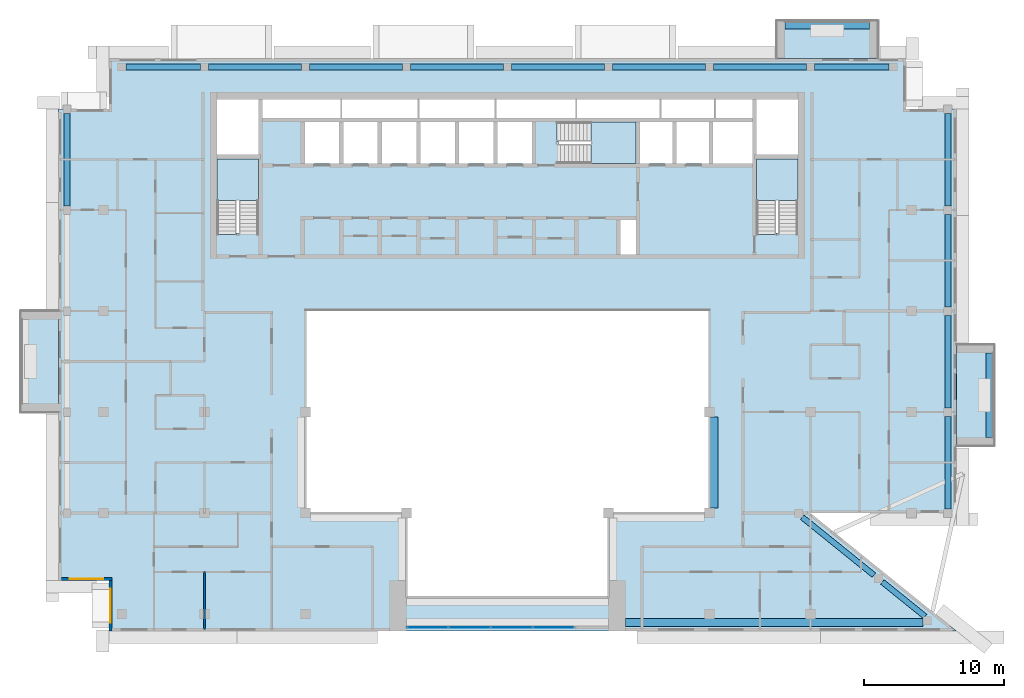
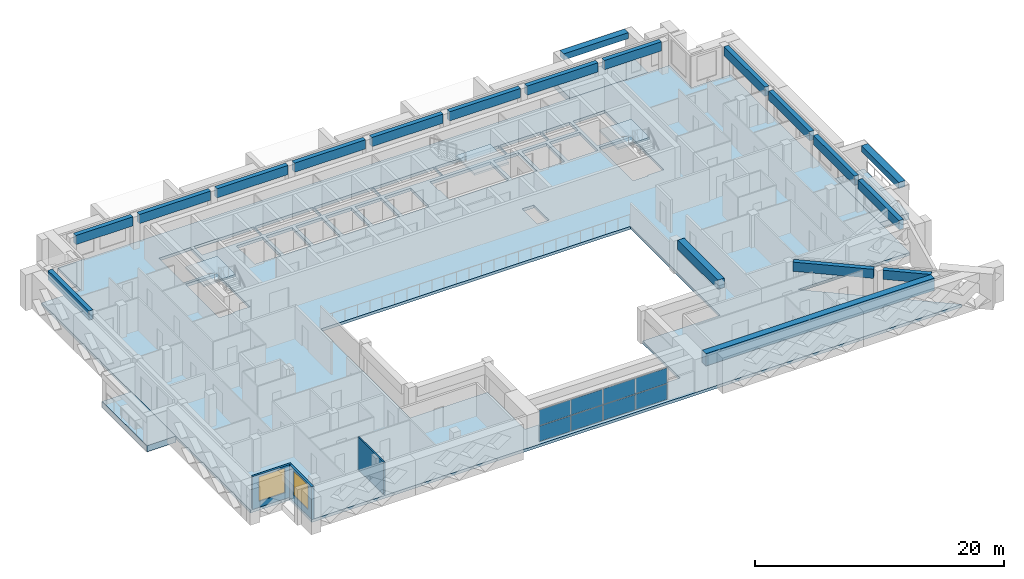
# One storey, part 5 of 18: 19 beams, 8 plates, 7 slabs, 3 walls, 2 windows, 2 openings, 4 elements without a shape of their own.
"""IFC4 building model written with IfcOpenShell, lengths in metres."""

from ifc_helpers import new_model, si_unit, direction, frame, frame_2d, origin, origin_2d, place, context, subcontext, project, spatial, polyline, rectangle, outline, extrude, source, transform, mapped, material, layer, layer_set, material_profile, profile_set, type_object, element, fill, aggregate, save


model = new_model("IFC4")

# Units and contexts
model_context = context("Model", 3, precision=1e-05, world=origin(), true_north=direction((0.0, 1.0)))
body_context = subcontext(model_context, "Body", "Model", "MODEL_VIEW")
ifc_project = project(units=[si_unit("LENGTHUNIT", "METRE"), si_unit("AREAUNIT", "SQUARE_METRE"), si_unit("VOLUMEUNIT", "CUBIC_METRE"), si_unit("PLANEANGLEUNIT", "RADIAN"), si_unit("MASSUNIT", "GRAM", prefix="KILO")], contexts=[model_context])

# Site, building, storey
site_placement = place(None, origin())
site = spatial("IfcSite", under=ifc_project, at=site_placement, CompositionType="ELEMENT")
building_placement = place(site_placement, origin())
building = spatial("IfcBuilding", under=site, at=building_placement, Name="Saffron Iwan Residences", CompositionType="ELEMENT")
storey_placement = place(building_placement, frame((0.0, 0.0, 257.0)))
storey = spatial("IfcBuildingStorey", under=building, at=storey_placement, Name="L69", CompositionType="ELEMENT", Elevation=257.0)

# Beams
ifc_material_1 = material(Name="Concrete C40/50", Category="concrete")
ifc_material_profile_1 = material_profile(ifc_material_1, rectangle(XDim=0.39990234375, YDim=0.89990234375, at=origin_2d()), Name="RC 400x900")
ifc_profile_set_1 = profile_set([ifc_material_profile_1], Name="Concrete C40/50")
beam_type_1 = type_object("IfcBeamType", Name="SPANDREL BEAM RC 400x900 C40/50 TOP 3220", PredefinedType="SPANDREL", material=ifc_profile_set_1)
shared_shape_1 = source(origin(), body_context, "Body", "SweptSolid", [
    extrude(rectangle(XDim=0.39990234375, YDim=0.89990234375, at=origin_2d()), origin(), (0.0, 0.0, 1.0), 3.91162109375),
])
beam_1_placement = place(storey_placement, frame((77.123046875, 43.0908203125, 2.77001953125), z_axis=(0.777943527056, -0.62833420145, 0.0), x_axis=(0.62833420145, 0.777943527056, 0.0)))
element("IfcBeam", 1, at=beam_1_placement, inside=storey, type_object=beam_type_1, Name="Spandrel beam", PredefinedType="SPANDREL", context=body_context, shape_type="MappedRepresentation", body=[
    mapped(shared_shape_1, transform((0.0, 0.0, 0.0))),
])
shared_shape_2 = source(origin(), body_context, "Body", "SweptSolid", [
    extrude(rectangle(XDim=0.39990234375, YDim=0.89990234375, at=origin_2d()), origin(), (0.0, 0.0, 1.0), 6.564208984375),
])
beam_2_placement = place(storey_placement, frame((71.41650390625, 47.699951171875, 2.77001953125), z_axis=(0.77793558619, -0.628344032946, 0.0), x_axis=(0.628344032946, 0.77793558619, 0.0)))
element("IfcBeam", 2, at=beam_2_placement, inside=storey, type_object=beam_type_1, Name="Spandrel beam", PredefinedType="SPANDREL", context=body_context, shape_type="MappedRepresentation", body=[
    mapped(shared_shape_2, transform((0.0, 0.0, 0.0))),
])
shared_shape_3 = source(origin(), body_context, "Body", "SweptSolid", [
    extrude(rectangle(XDim=0.39990234375, YDim=0.89990234375, at=origin_2d()), origin(), (0.0, 0.0, 1.0), 6.599853515625),
])
for number, where, z_axis, x_axis, name in (
    (3, (81.800048828125, 54.89990234375, 2.77001953125), (0.0, -1.0, 0.0), (1.0, 0.0, 0.0), "Spandrel beam"),
    (4, (29.10009765625, 79.800048828125, 2.77001953125), (1.0, 0.0, 0.0), (0.0, 1.0, 0.0), "Spandrel beam"),
    (5, (36.300048828125, 79.800048828125, 2.77001953125), (1.0, 0.0, 0.0), (0.0, 1.0, 0.0), "Spandrel beam"),
    (6, (65.10009765625, 79.800048828125, 2.77001953125), (1.0, 0.0, 0.0), (0.0, 1.0, 0.0), "Spandrel beam"),
):
    element("IfcBeam", number, at=place(storey_placement, frame(where, z_axis=z_axis, x_axis=x_axis)), inside=storey, type_object=beam_type_1, Name=name, PredefinedType="SPANDREL", context=body_context, shape_type="MappedRepresentation", body=[
        mapped(shared_shape_3, transform((0.0, 0.0, 0.0))),
    ])
shared_shape_4 = source(origin(), body_context, "Body", "SweptSolid", [
    extrude(rectangle(XDim=0.39990234375, YDim=0.89990234375, at=origin_2d()), origin(), (0.0, 0.0, 1.0), 6.60009765625),
])
for number, where, z_axis, x_axis, name in (
    (7, (81.800048828125, 62.10009765625, 2.77001953125), (0.0, -1.0, 0.0), (1.0, 0.0, 0.0), "Spandrel beam"),
    (8, (81.800048828125, 69.300048828125, 2.77001953125), (0.0, -1.0, 0.0), (1.0, 0.0, 0.0), "Spandrel beam"),
    (9, (19.0, 69.89990234375, 2.77001953125), (0.0, 1.0, 0.0), (-1.0, 0.0, 0.0), "Spandrel beam"),
    (10, (81.800048828125, 76.5, 2.77001953125), (0.0, -1.0, 0.0), (1.0, 0.0, 0.0), "Spandrel beam"),
    (11, (43.5, 79.800048828125, 2.77001953125), (1.0, 0.0, 0.0), (0.0, 1.0, 0.0), "Spandrel beam"),
    (12, (50.699951171875, 79.800048828125, 2.77001953125), (1.0, 0.0, 0.0), (0.0, 1.0, 0.0), "Spandrel beam"),
    (13, (57.89990234375, 79.800048828125, 2.77001953125), (1.0, 0.0, 0.0), (0.0, 1.0, 0.0), "Spandrel beam"),
):
    element("IfcBeam", number, at=place(storey_placement, frame(where, z_axis=z_axis, x_axis=x_axis)), inside=storey, type_object=beam_type_1, Name=name, PredefinedType="SPANDREL", context=body_context, shape_type="MappedRepresentation", body=[
        mapped(shared_shape_4, transform((0.0, 0.0, 0.0))),
    ])
shared_shape_5 = source(origin(), body_context, "Body", "SweptSolid", [
    extrude(rectangle(XDim=0.39990234375, YDim=0.89990234375, at=origin_2d()), origin(), (0.0, 0.0, 1.0), 5.300048828125),
])
for number, where, z_axis, x_axis, name in (
    (14, (23.199951171875, 79.800048828125, 2.77001953125), (1.0, 0.0, 0.0), (0.0, 1.0, 0.0), "Spandrel beam"),
    (15, (72.300048828125, 79.800048828125, 2.77001953125), (1.0, 0.0, 0.0), (0.0, 1.0, 0.0), "Spandrel beam"),
):
    element("IfcBeam", number, at=place(storey_placement, frame(where, z_axis=z_axis, x_axis=x_axis)), inside=storey, type_object=beam_type_1, Name=name, PredefinedType="SPANDREL", context=body_context, shape_type="MappedRepresentation", body=[
        mapped(shared_shape_5, transform((0.0, 0.0, 0.0))),
    ])
ifc_material_profile_2 = material_profile(ifc_material_1, rectangle(XDim=0.60009765625, YDim=1.199951171875, at=origin_2d()), Name="RC 600x1200")
ifc_profile_set_2 = profile_set([ifc_material_profile_2], Name="Concrete C40/50")
beam_type_2 = type_object("IfcBeamType", Name="LINTEL BEAM RC 600x1200 C40/50 TOP 3220", PredefinedType="LINTEL", material=ifc_profile_set_2)
shared_shape_6 = source(origin(), body_context, "Body", "SweptSolid", [
    extrude(rectangle(XDim=0.60009765625, YDim=1.199951171875, at=origin_2d()), origin(), (0.0, 0.0, 1.0), 21.2255859375),
])
beam_3_placement = place(storey_placement, frame((80.025634765625, 40.199951171875, 2.6201171875), z_axis=(-1.0, 0.0, 0.0), x_axis=(0.0, -1.0, 0.0)))
element("IfcBeam", 16, at=beam_3_placement, inside=storey, type_object=beam_type_2, Name="Lintel beam over the iwan", PredefinedType="LINTEL", context=body_context, shape_type="MappedRepresentation", body=[
    mapped(shared_shape_6, transform((0.0, 0.0, 0.0))),
])
ifc_material_profile_3 = material_profile(ifc_material_1, rectangle(XDim=0.60009765625, YDim=0.89990234375, at=origin_2d()), Name="RC 600x900")
ifc_profile_set_3 = profile_set([ifc_material_profile_3], Name="Concrete C40/50")
beam_type_3 = type_object("IfcBeamType", Name="BEAM RC 600x900 C40/50 TOP 3220", PredefinedType="BEAM", material=ifc_profile_set_3)
shared_shape_7 = source(origin(), body_context, "Body", "SweptSolid", [
    extrude(rectangle(XDim=0.60009765625, YDim=0.89990234375, at=origin_2d()), origin(), (0.0, 0.0, 1.0), 6.5),
])
beam_4_placement = place(storey_placement, frame((65.10009765625, 54.85009765625, 2.77001953125), z_axis=(0.0, -1.0, 0.0), x_axis=(1.0, 0.0, 0.0)))
element("IfcBeam", 17, at=beam_4_placement, inside=storey, type_object=beam_type_3, Name="Atrium edge beam", PredefinedType="BEAM", context=body_context, shape_type="MappedRepresentation", body=[
    mapped(shared_shape_7, transform((0.0, 0.0, 0.0))),
])
ifc_material_2 = material(Name="Concrete C50/60 white painted", Category="concrete")
ifc_material_profile_4 = material_profile(ifc_material_2, rectangle(XDim=0.60009765625, YDim=0.60009765625, at=origin_2d()), Name="BALCONY FASCIA BEAM 600 x 600")
ifc_profile_set_4 = profile_set([ifc_material_profile_4], Name="Concrete C50/60 white painted")
beam_type_4 = type_object("IfcBeamType", Name="BALCONY FASCIA BEAM 600 x 600", PredefinedType="BEAM", material=ifc_profile_set_4)
shared_shape_8 = source(origin(), body_context, "Body", "SweptSolid", [
    extrude(rectangle(XDim=0.60009765625, YDim=0.60009765625, at=origin_2d()), origin(), (0.0, 0.0, 1.0), 6.0),
])
for number, where, z_axis, x_axis, name in (
    (18, (84.800048828125, 53.39990234375, 2.550048828125), (0.0, 1.0, 0.0), (-1.0, 0.0, 0.0), "Balcony fascia beam L69 F2-0"),
    (19, (76.199951171875, 82.800048828125, 2.550048828125), (-1.0, 0.0, 0.0), (0.0, -1.0, 0.0), "Balcony fascia beam L69 F5-0"),
):
    element("IfcBeam", number, at=place(storey_placement, frame(where, z_axis=z_axis, x_axis=x_axis)), inside=storey, type_object=beam_type_4, Name=name, PredefinedType="BEAM", context=body_context, shape_type="MappedRepresentation", body=[
        mapped(shared_shape_8, transform((0.0, 0.0, 0.0))),
    ])

# Slabs
ifc_layer_1 = layer(ifc_material_2, 0.60009765625)
ifc_layer_set_1 = layer_set([ifc_layer_1], Name="Concrete C50/60 white painted")
slab_type_1 = type_object("IfcSlabType", Name="BALCONY FRAME SLAB 600", PredefinedType="FLOOR", material=ifc_layer_set_1)
slab_1_placement = place(storey_placement, frame((0.0, 0.0, -0.60009765625)))
element("IfcSlab", 20, at=slab_1_placement, inside=storey, type_object=slab_type_1, Name="Balcony frame slab L69 F2-0", PredefinedType="FLOOR", context=body_context, shape_type="SweptSolid", body=[
    extrude(outline(polyline([(85.10009765625, 52.800048828125), (85.10009765625, 60.0), (82.39990234375, 60.0), (82.39990234375, 52.800048828125), (85.10009765625, 52.800048828125)])), origin(), (0.0, 0.0, 1.0), 0.60009765625),
])
slab_2_placement = place(storey_placement, frame((0.0, 0.0, -0.60009765625)))
element("IfcSlab", 21, at=slab_2_placement, inside=storey, type_object=slab_type_1, Name="Balcony frame slab L69 F5-0", PredefinedType="FLOOR", context=body_context, shape_type="SweptSolid", body=[
    extrude(outline(polyline([(76.800048828125, 83.10009765625), (69.60009765625, 83.10009765625), (69.60009765625, 80.39990234375), (76.800048828125, 80.39990234375), (76.800048828125, 83.10009765625)])), origin(), (0.0, 0.0, 1.0), 0.60009765625),
])
slab_3_placement = place(storey_placement, frame((0.0, 0.0, -0.60009765625)))
element("IfcSlab", 22, at=slab_3_placement, inside=storey, type_object=slab_type_1, Name="Balcony frame slab L69 F8-0", PredefinedType="FLOOR", context=body_context, shape_type="SweptSolid", body=[
    extrude(outline(polyline([(15.699951171875, 62.39990234375), (15.699951171875, 55.199951171875), (18.39990234375, 55.199951171875), (18.39990234375, 62.39990234375), (15.699951171875, 62.39990234375)])), origin(), (0.0, 0.0, 1.0), 0.60009765625),
])
ifc_layer_2 = layer(ifc_material_1, 0.280029296875)
ifc_layer_set_2 = layer_set([ifc_layer_2], Name="Concrete C40/50")
slab_type_2 = type_object("IfcSlabType", Name="PT PLATE 280 C40/50", PredefinedType="FLOOR", material=ifc_layer_set_2)
slab_4_placement = place(storey_placement, frame((0.0, 0.0, -0.280029296875)))
element("IfcSlab", 23, at=slab_4_placement, inside=storey, type_object=slab_type_2, Name="Floor slab L69", PredefinedType="FLOOR", context=body_context, shape_type="SweptSolid", body=[
    extrude(outline(polyline([(18.39990234375, 43.199951171875), (18.39990234375, 76.800048828125), (22.0, 76.800048828125), (22.0, 80.39990234375), (78.800048828125, 80.39990234375), (78.800048828125, 76.800048828125), (82.39990234375, 76.800048828125), (82.39990234375, 48.0), (72.0, 48.0), (82.39990234375, 39.60009765625), (22.0, 39.60009765625), (22.0, 43.199951171875), (18.39990234375, 43.199951171875)]), holes=[polyline([(64.800048828125, 48.0), (64.800048828125, 62.39990234375), (36.0, 62.39990234375), (36.0, 48.0), (43.199951171875, 48.0), (43.199951171875, 42.0), (57.60009765625, 42.0), (57.60009765625, 48.0), (64.800048828125, 48.0)]), polyline([(29.699951171875, 73.25), (29.699951171875, 67.949951171875), (29.699951171875, 67.8505859375), (31.10009765625, 67.8505859375), (31.10009765625, 67.949951171875), (32.64990234375, 67.949951171875), (32.64990234375, 73.25), (29.699951171875, 73.25)]), polyline([(38.39990234375, 75.875), (35.949951171875, 75.875), (35.949951171875, 72.925048828125), (38.39990234375, 72.925048828125), (38.39990234375, 75.875)]), polyline([(41.14990234375, 75.875), (38.699951171875, 75.875), (38.699951171875, 72.925048828125), (41.14990234375, 72.925048828125), (41.14990234375, 75.875)]), polyline([(43.89990234375, 72.925048828125), (43.89990234375, 75.875), (41.449951171875, 75.875), (41.449951171875, 72.925048828125), (43.89990234375, 72.925048828125)]), polyline([(46.64990234375, 72.925048828125), (46.64990234375, 75.875), (44.199951171875, 75.875), (44.199951171875, 72.925048828125), (46.64990234375, 72.925048828125)]), polyline([(49.39990234375, 75.875), (46.949951171875, 75.875), (46.949951171875, 72.925048828125), (49.39990234375, 72.925048828125), (49.39990234375, 75.875)]), polyline([(52.14990234375, 72.925048828125), (52.14990234375, 75.875), (49.699951171875, 75.875), (49.699951171875, 72.925048828125), (52.14990234375, 72.925048828125)]), polyline([(32.64990234375, 73.550048828125), (32.64990234375, 77.5), (29.699951171875, 77.5), (29.699951171875, 73.550048828125), (32.64990234375, 73.550048828125)]), polyline([(38.5, 77.5), (32.949951171875, 77.5), (32.949951171875, 76.175048828125), (38.5, 76.175048828125), (38.5, 77.5)]), polyline([(44.0, 76.175048828125), (44.0, 77.5), (38.60009765625, 77.5), (38.60009765625, 76.175048828125), (44.0, 76.175048828125)]), polyline([(49.5, 76.175048828125), (49.5, 77.5), (44.10009765625, 77.5), (44.10009765625, 76.175048828125), (49.5, 76.175048828125)]), polyline([(59.550048828125, 68.875), (58.449951171875, 68.875), (58.449951171875, 66.449951171875), (59.550048828125, 66.449951171875), (59.550048828125, 68.875)]), polyline([(68.14990234375, 73.25), (68.14990234375, 67.949951171875), (68.14990234375, 67.8505859375), (69.550048828125, 67.8505859375), (69.550048828125, 67.949951171875), (71.10009765625, 67.949951171875), (71.10009765625, 73.25), (68.14990234375, 73.25)]), polyline([(54.02490234375, 74.47509765625), (54.02490234375, 72.925048828125), (59.550048828125, 72.925048828125), (59.550048828125, 75.875), (54.02490234375, 75.875), (53.925537109375, 75.875), (53.925537109375, 74.47509765625), (54.02490234375, 74.47509765625)]), polyline([(62.14990234375, 72.925048828125), (62.14990234375, 75.875), (59.85009765625, 75.875), (59.85009765625, 72.925048828125), (62.14990234375, 72.925048828125)]), polyline([(64.75, 72.925048828125), (64.75, 75.875), (62.449951171875, 75.875), (62.449951171875, 72.925048828125), (64.75, 72.925048828125)]), polyline([(67.85009765625, 75.875), (65.050048828125, 75.875), (65.050048828125, 72.925048828125), (67.85009765625, 72.925048828125), (67.85009765625, 75.875)]), polyline([(71.10009765625, 73.550048828125), (71.10009765625, 77.5), (68.14990234375, 77.5), (68.14990234375, 73.550048828125), (71.10009765625, 73.550048828125)]), polyline([(55.25, 76.175048828125), (55.25, 77.5), (49.60009765625, 77.5), (49.60009765625, 76.175048828125), (55.25, 76.175048828125)]), polyline([(61.25, 77.5), (55.35009765625, 77.5), (55.35009765625, 76.175048828125), (61.25, 76.175048828125), (61.25, 77.5)]), polyline([(65.14990234375, 76.175048828125), (65.14990234375, 77.5), (61.35009765625, 77.5), (61.35009765625, 76.175048828125), (65.14990234375, 76.175048828125)]), polyline([(67.85009765625, 76.175048828125), (67.85009765625, 77.5), (65.25, 77.5), (65.25, 76.175048828125), (67.85009765625, 76.175048828125)])]), origin(), (0.0, 0.0, 1.0), 0.280029296875),
])

# Stair, slab
ifc_material_3 = material(Name="Concrete C50/60", Category="concrete")
stair_type = type_object("IfcStairType", Name="Stair ST-CORE", PredefinedType="HALF_TURN_STAIR", material=ifc_material_3)
stair_1_placement = place(storey_placement, origin())
stair_1 = element("IfcStair", 24, at=stair_1_placement, inside=storey, type_object=stair_type, Name="L69 Exit Stair ST-W", PredefinedType="HALF_TURN_STAIR")
ifc_layer_3 = layer(ifc_material_3, 0.199951171875)
ifc_layer_set_3 = layer_set([ifc_layer_3], Name="Concrete C50/60")
slab_type_3 = type_object("IfcSlabType", Name="Stair landing SL-RC", PredefinedType="LANDING", material=ifc_layer_set_3)
slab_5_placement = place(storey_placement, frame((0.0, 0.0, 1.5498046875)))
slab_5 = element("IfcSlab", 25, at=slab_5_placement, type_object=slab_type_3, Name="ST-W landing 1", PredefinedType="LANDING", context=body_context, shape_type="SweptSolid", body=[
    extrude(outline(polyline([(32.64990234375, 70.280029296875), (32.64990234375, 73.25), (29.699951171875, 73.25), (29.699951171875, 70.280029296875), (32.64990234375, 70.280029296875)])), origin(), (0.0, 0.0, 1.0), 0.2001953125),
])
aggregate(stair_1, [slab_5])

stair_2_placement = place(storey_placement, origin())
stair_2 = element("IfcStair", 26, at=stair_2_placement, inside=storey, type_object=stair_type, Name="L69 Exit Stair ST-C", PredefinedType="HALF_TURN_STAIR")
slab_6_placement = place(storey_placement, frame((0.0, 0.0, 1.5498046875)))
slab_6 = element("IfcSlab", 27, at=slab_6_placement, type_object=slab_type_3, Name="ST-C landing 1", PredefinedType="LANDING", context=body_context, shape_type="SweptSolid", body=[
    extrude(outline(polyline([(56.35498046875, 72.925048828125), (59.550048828125, 72.925048828125), (59.550048828125, 75.875), (56.35498046875, 75.875), (56.35498046875, 72.925048828125)])), origin(), (0.0, 0.0, 1.0), 0.2001953125),
])
aggregate(stair_2, [slab_6])

stair_3_placement = place(storey_placement, origin())
stair_3 = element("IfcStair", 28, at=stair_3_placement, inside=storey, type_object=stair_type, Name="L69 Exit Stair ST-E", PredefinedType="HALF_TURN_STAIR")
slab_7_placement = place(storey_placement, frame((0.0, 0.0, 1.5498046875)))
slab_7 = element("IfcSlab", 29, at=slab_7_placement, type_object=slab_type_3, Name="ST-E landing 1", PredefinedType="LANDING", context=body_context, shape_type="SweptSolid", body=[
    extrude(outline(polyline([(71.10009765625, 70.280029296875), (71.10009765625, 73.25), (68.14990234375, 73.25), (68.14990234375, 70.280029296875), (71.10009765625, 70.280029296875)])), origin(), (0.0, 0.0, 1.0), 0.2001953125),
])
aggregate(stair_3, [slab_7])

# Curtain wall, plates
ifc_material_4 = material(Name="Clear glass, laminated double glazed", Category="glass")
ifc_layer_4 = layer(ifc_material_4, 0.199951171875)
ifc_layer_set_4 = layer_set([ifc_layer_4], Name="Clear glass, laminated double glazed")
curtain_wall_type = type_object("IfcCurtainWallType", Name="CW-B IWAN PORTAL", PredefinedType="NOTDEFINED", material=ifc_layer_set_4)
curtain_wall_placement = place(storey_placement, origin())
curtain_wall = element("IfcCurtainWall", 30, at=curtain_wall_placement, inside=storey, type_object=curtain_wall_type, Name="Iwan portal glazing L69.1", PredefinedType="NOTDEFINED")
ifc_layer_5 = layer(ifc_material_4, 0.028076171875)
ifc_layer_set_5 = layer_set([ifc_layer_5], Name="Clear glass, laminated double glazed")
plate_type = type_object("IfcPlateType", Name="CW-B PANEL 28", PredefinedType="CURTAIN_PANEL", material=ifc_layer_set_5)
shared_shape_9 = source(origin(), body_context, "Body", "SweptSolid", [
    extrude(rectangle(XDim=2.909912109375, YDim=0.028076171875, at=origin_2d()), origin(), (0.0, 0.0, 1.0), 1.52001953125),
])
plate_1_placement = place(storey_placement, frame((44.715087890625, 39.85009765625, 0.06005859375), z_axis=(0.0, 0.0, 1.0), x_axis=(1.0, 0.0, 0.0)))
plate_1 = element("IfcPlate", 31, at=plate_1_placement, type_object=plate_type, Name="CW-B panel 1.1", PredefinedType="CURTAIN_PANEL", context=body_context, shape_type="MappedRepresentation", body=[
    mapped(shared_shape_9, transform((0.0, 0.0, 0.0))),
])
plate_2_placement = place(storey_placement, frame((44.715087890625, 39.85009765625, 1.639892578125), z_axis=(0.0, 0.0, 1.0), x_axis=(1.0, 0.0, 0.0)))
plate_2 = element("IfcPlate", 32, at=plate_2_placement, type_object=plate_type, Name="CW-B panel 1.2", PredefinedType="CURTAIN_PANEL", context=body_context, shape_type="MappedRepresentation", body=[
    mapped(shared_shape_9, transform((0.0, 0.0, 0.0))),
])
plate_3_placement = place(storey_placement, frame((53.68505859375, 39.85009765625, 0.06005859375), z_axis=(0.0, 0.0, 1.0), x_axis=(1.0, 0.0, 0.0)))
plate_3 = element("IfcPlate", 33, at=plate_3_placement, type_object=plate_type, Name="CW-B panel 4.1", PredefinedType="CURTAIN_PANEL", context=body_context, shape_type="MappedRepresentation", body=[
    mapped(shared_shape_9, transform((0.0, 0.0, 0.0))),
])
plate_4_placement = place(storey_placement, frame((53.68505859375, 39.85009765625, 1.639892578125), z_axis=(0.0, 0.0, 1.0), x_axis=(1.0, 0.0, 0.0)))
plate_4 = element("IfcPlate", 34, at=plate_4_placement, type_object=plate_type, Name="CW-B panel 4.2", PredefinedType="CURTAIN_PANEL", context=body_context, shape_type="MappedRepresentation", body=[
    mapped(shared_shape_9, transform((0.0, 0.0, 0.0))),
])
shared_shape_10 = source(origin(), body_context, "Body", "SweptSolid", [
    extrude(rectangle(XDim=2.93994140625, YDim=0.028076171875, at=origin_2d()), origin(), (0.0, 0.0, 1.0), 1.52001953125),
])
plate_5_placement = place(storey_placement, frame((47.699951171875, 39.85009765625, 0.06005859375), z_axis=(0.0, 0.0, 1.0), x_axis=(1.0, 0.0, 0.0)))
plate_5 = element("IfcPlate", 35, at=plate_5_placement, type_object=plate_type, Name="CW-B panel 2.1", PredefinedType="CURTAIN_PANEL", context=body_context, shape_type="MappedRepresentation", body=[
    mapped(shared_shape_10, transform((0.0, 0.0, 0.0))),
])
plate_6_placement = place(storey_placement, frame((47.699951171875, 39.85009765625, 1.639892578125), z_axis=(0.0, 0.0, 1.0), x_axis=(1.0, 0.0, 0.0)))
plate_6 = element("IfcPlate", 36, at=plate_6_placement, type_object=plate_type, Name="CW-B panel 2.2", PredefinedType="CURTAIN_PANEL", context=body_context, shape_type="MappedRepresentation", body=[
    mapped(shared_shape_10, transform((0.0, 0.0, 0.0))),
])
plate_7_placement = place(storey_placement, frame((50.699951171875, 39.85009765625, 0.06005859375), z_axis=(0.0, 0.0, 1.0), x_axis=(1.0, 0.0, 0.0)))
plate_7 = element("IfcPlate", 37, at=plate_7_placement, type_object=plate_type, Name="CW-B panel 3.1", PredefinedType="CURTAIN_PANEL", context=body_context, shape_type="MappedRepresentation", body=[
    mapped(shared_shape_10, transform((0.0, 0.0, 0.0))),
])
plate_8_placement = place(storey_placement, frame((50.699951171875, 39.85009765625, 1.639892578125), z_axis=(0.0, 0.0, 1.0), x_axis=(1.0, 0.0, 0.0)))
plate_8 = element("IfcPlate", 38, at=plate_8_placement, type_object=plate_type, Name="CW-B panel 3.2", PredefinedType="CURTAIN_PANEL", context=body_context, shape_type="MappedRepresentation", body=[
    mapped(shared_shape_10, transform((0.0, 0.0, 0.0))),
])
aggregate(curtain_wall, [plate_1, plate_2, plate_5, plate_6, plate_7, plate_8, plate_3, plate_4])

# Wall, opening, window
ifc_layer_6 = layer(ifc_material_1, 0.199951171875)
ifc_layer_set_6 = layer_set([ifc_layer_6], Name="Concrete C40/50")
wall_type_1 = type_object("IfcWallType", Name="EXTERNAL WALL 200", PredefinedType="SOLIDWALL", material=ifc_layer_set_6)
wall_1_placement = place(storey_placement, frame((18.60009765625, 43.300048828125, 0.0), z_axis=(0.0, 0.0, 1.0), x_axis=(1.0, 0.0, 0.0)))
wall_1 = element("IfcWall", 39, at=wall_1_placement, inside=storey, type_object=wall_type_1, Name="External wall L69 F9.0", PredefinedType="SOLIDWALL", context=body_context, shape_type="SweptSolid", body=[
    extrude(rectangle(XDim=3.599853515625, YDim=0.199951171875, at=frame_2d((1.7998046875, 0.0))), origin(), (0.0, 0.0, 1.0), 3.219970703125),
])
opening_1_placement = place(wall_1_placement, frame((0.60009765625, 0.0, 0.60009765625)))
opening_1 = element("IfcOpeningElement", 40, at=opening_1_placement, cuts=wall_1, Name="Opening W1", PredefinedType="OPENING", context=body_context, shape_type="SweptSolid", body=[
    extrude(rectangle(XDim=2.39990234375, YDim=2.39990234375, at=frame_2d((1.199951171875, 1.199951171875))), frame((0.0, 0.10986328125, 0.0), z_axis=(0.0, -1.0, 0.0), x_axis=(1.0, 0.0, 0.0)), (0.0, 0.0, 1.0), 0.219970703125),
])
window_type = type_object("IfcWindowType", Name="WINDOW 2400 x 2400", PartitioningType="DOUBLE_PANEL_VERTICAL", PredefinedType="WINDOW", material=ifc_material_4)
window_1_placement = place(opening_1_placement, origin())
window_1 = element("IfcWindow", 41, at=window_1_placement, inside=storey, type_object=window_type, Name="Window L69 F9.0", OverallHeight=2.39990234375, OverallWidth=2.39990234375, PartitioningType="DOUBLE_PANEL_VERTICAL", PredefinedType="WINDOW", context=body_context, shape_type="SweptSolid", body=[
    extrude(rectangle(XDim=2.39990234375, YDim=2.39990234375, at=frame_2d((1.199951171875, 1.199951171875))), frame((0.0, 0.030029296875, 0.0), z_axis=(0.0, -1.0, 0.0), x_axis=(1.0, 0.0, 0.0)), (0.0, 0.0, 1.0), 0.06005859375),
])
fill(opening_1, window_1)

wall_2_placement = place(storey_placement, frame((22.10009765625, 43.199951171875, 0.0), z_axis=(0.0, 0.0, 1.0), x_axis=(0.0, -1.0, 0.0)))
wall_2 = element("IfcWall", 42, at=wall_2_placement, inside=storey, type_object=wall_type_1, Name="External wall L69 F10.0", PredefinedType="SOLIDWALL", context=body_context, shape_type="SweptSolid", body=[
    extrude(rectangle(XDim=3.599853515625, YDim=0.199951171875, at=frame_2d((1.7998046875, 0.0))), origin(), (0.0, 0.0, 1.0), 3.219970703125),
])
opening_2_placement = place(wall_2_placement, frame((0.60009765625, 0.0, 0.60009765625)))
opening_2 = element("IfcOpeningElement", 43, at=opening_2_placement, cuts=wall_2, Name="Opening W1", PredefinedType="OPENING", context=body_context, shape_type="SweptSolid", body=[
    extrude(rectangle(XDim=2.39990234375, YDim=2.39990234375, at=frame_2d((1.199951171875, 1.199951171875))), frame((0.0, 0.10986328125, 0.0), z_axis=(0.0, -1.0, 0.0), x_axis=(1.0, 0.0, 0.0)), (0.0, 0.0, 1.0), 0.219970703125),
])
window_2_placement = place(opening_2_placement, origin())
window_2 = element("IfcWindow", 44, at=window_2_placement, inside=storey, type_object=window_type, Name="Window L69 F10.0", OverallHeight=2.39990234375, OverallWidth=2.39990234375, PartitioningType="DOUBLE_PANEL_VERTICAL", PredefinedType="WINDOW", context=body_context, shape_type="SweptSolid", body=[
    extrude(rectangle(XDim=2.39990234375, YDim=2.39990234375, at=frame_2d((1.199951171875, 1.199951171875))), frame((0.0, 0.030029296875, 0.0), z_axis=(0.0, -1.0, 0.0), x_axis=(1.0, 0.0, 0.0)), (0.0, 0.0, 1.0), 0.06005859375),
])
fill(opening_2, window_2)

# Wall
ifc_material_5 = material(Name="Gypsum board partition")
ifc_layer_7 = layer(ifc_material_5, 0.1201171875)
ifc_layer_set_7 = layer_set([ifc_layer_7], Name="Gypsum board partition")
wall_type_2 = type_object("IfcWallType", Name="Flat partition 120", PredefinedType="PARTITIONING", material=ifc_layer_set_7)
wall_3_placement = place(storey_placement, frame((28.800048828125, 39.72509765625, 0.0), z_axis=(0.0, 0.0, 1.0), x_axis=(0.0, 1.0, 0.0)))
element("IfcWall", 45, at=wall_3_placement, inside=storey, type_object=wall_type_2, Name="W-L69-PART-v28.8-39.725", PredefinedType="PARTITIONING", context=body_context, shape_type="SweptSolid", body=[
    extrude(rectangle(XDim=4.074951171875, YDim=0.1201171875, at=frame_2d((2.03759765625, 0.0))), origin(), (0.0, 0.0, 1.0), 3.219970703125),
])

save(model, "model.ifc")
